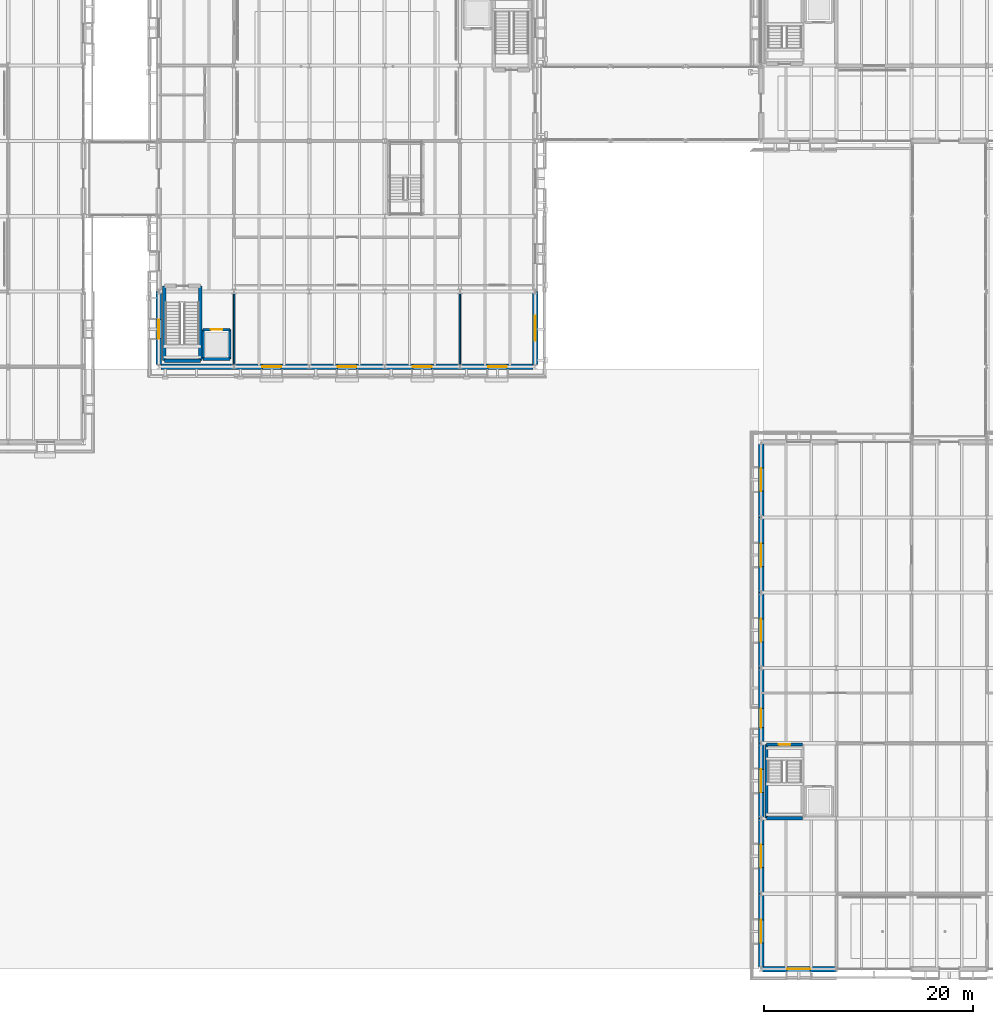
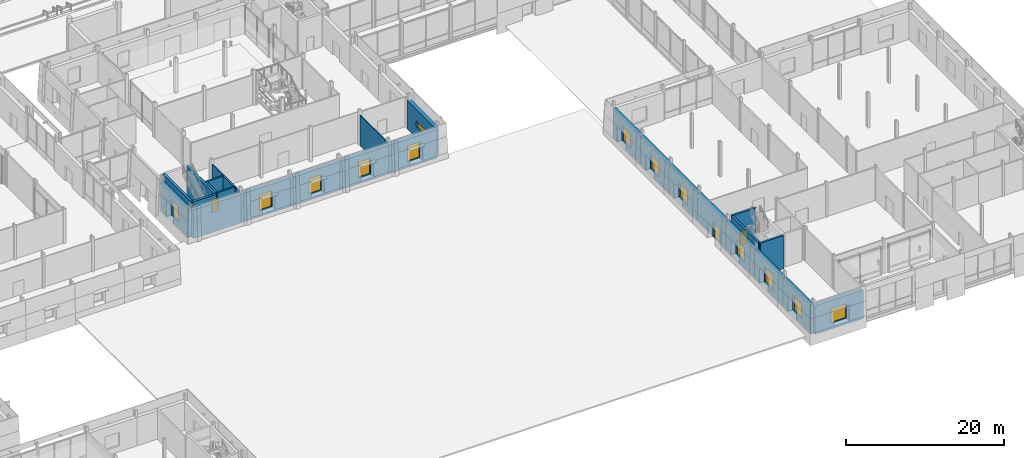
# One storey, part 71 of 120: 27 walls, 13 windows, 3 doors, 16 openings.
"""IFC4 building model written with IfcOpenShell, lengths in metres."""

from ifc_helpers import new_model, si_unit, direction, frame, frame_2d, origin, place, context, subcontext, project, spatial, rectangle, extrude, material, layer, layer_set, type_object, element, fill, save


model = new_model("IFC4")

# Units and contexts
model_context = context("Model", 3, precision=1e-05, world=origin(), true_north=direction((0.0, 1.0)))
body_context = subcontext(model_context, "Body", "Model", "MODEL_VIEW")
ifc_project = project(units=[si_unit("LENGTHUNIT", "METRE"), si_unit("AREAUNIT", "SQUARE_METRE"), si_unit("VOLUMEUNIT", "CUBIC_METRE"), si_unit("PLANEANGLEUNIT", "RADIAN"), si_unit("MASSUNIT", "GRAM", prefix="KILO")], contexts=[model_context])

# Site, building, storey
site_placement = place(None, origin())
site = spatial("IfcSite", under=ifc_project, at=site_placement, CompositionType="ELEMENT")
building_placement = place(site_placement, origin())
building = spatial("IfcBuilding", under=site, at=building_placement, Name="Narikvali Park Central Library", CompositionType="ELEMENT")
storey_placement = place(building_placement, origin())
storey = spatial("IfcBuildingStorey", under=building, at=storey_placement, Name="L00", CompositionType="ELEMENT", Elevation=0.0)

# Walls
ifc_material_1 = material(Name="Gypsum Board on Galvanised Steel Studs", Category="steel")
ifc_layer_1 = layer(ifc_material_1, 0.139892578125, Name="Gypsum Board on Galvanised Steel Studs")
ifc_layer_set_1 = layer_set([ifc_layer_1], Name="Gypsum Board on Galvanised Steel Studs")
wall_type_1 = type_object("IfcWallType", Name="Periodicals Partition Wall 140", PredefinedType="PARTITIONING", material=ifc_layer_set_1)
for number, where, z_axis, x_axis, name in (
    (1, (72.0, 57.803466796875, 0.0), (0.0, 0.0, 1.0), (0.0, 1.0, 0.0), "Periodicals Reading Room Partition W"),
    (2, (93.60009765625, 57.803466796875, 0.0), (0.0, 0.0, 1.0), (0.0, 1.0, 0.0), "Periodicals Reading Room Partition E"),
):
    element("IfcWall", number, at=place(storey_placement, frame(where, z_axis=z_axis, x_axis=x_axis)), inside=storey, type_object=wall_type_1, Name=name, PredefinedType="PARTITIONING", context=body_context, shape_type="SweptSolid", body=[
        extrude(rectangle(XDim=6.7890625, YDim=0.139892578125, at=frame_2d((3.39453125, 0.0))), origin(), (0.0, 0.0, 1.0), 4.6650390625),
    ])
ifc_material_2 = material(Name="Concrete C40/50", Category="concrete")
ifc_layer_2 = layer(ifc_material_2, 0.35009765625, Name="Concrete C40/50")
ifc_layer_set_2 = layer_set([ifc_layer_2], Name="Concrete C40/50")
wall_type_2 = type_object("IfcWallType", Name="Reinforced Concrete Core Shear Wall 350", PredefinedType="SHEAR", material=ifc_layer_set_2)
wall_1_placement = place(storey_placement, frame((65.330078125, 58.179931640625, 0.0), z_axis=(0.0, 0.0, 1.0), x_axis=(1.0, 0.0, 0.0)))
element("IfcWall", 3, at=wall_1_placement, inside=storey, type_object=wall_type_2, Name="C1A L00 Stair Core Shear Wall S", PredefinedType="SHEAR", context=body_context, shape_type="SweptSolid", body=[
    extrude(rectangle(XDim=3.43994140625, YDim=0.35009765625, at=frame_2d((1.719970703125, 0.0))), origin(), (0.0, 0.0, 1.0), 5.1201171875),
])
for number, where, z_axis, x_axis, name in (
    (4, (68.77001953125, 58.179931640625, 0.0), (0.0, 0.0, 1.0), (0.0, 1.0, 0.0), "C1A L00 Stair Core Shear Wall E"),
    (5, (65.330078125, 65.320068359375, 0.0), (0.0, 0.0, 1.0), (0.0, -1.0, 0.0), "C1A L00 Stair Core Shear Wall W"),
):
    element("IfcWall", number, at=place(storey_placement, frame(where, z_axis=z_axis, x_axis=x_axis)), inside=storey, type_object=wall_type_2, Name=name, PredefinedType="SHEAR", context=body_context, shape_type="SweptSolid", body=[
        extrude(rectangle(XDim=7.14013671875, YDim=0.35009765625, at=frame_2d((3.570068359375, 0.0))), origin(), (0.0, 0.0, 1.0), 5.1201171875),
    ])
ifc_layer_3 = layer(ifc_material_2, 0.25, Name="Concrete C40/50")
ifc_layer_set_3 = layer_set([ifc_layer_3], Name="Concrete C40/50")
wall_type_3 = type_object("IfcWallType", Name="Reinforced Concrete Lift Shaft Wall 250", PredefinedType="SHEAR", material=ifc_layer_set_3)
wall_2_placement = place(storey_placement, frame((69.050048828125, 58.35009765625, 0.0), z_axis=(0.0, 0.0, 1.0), x_axis=(1.0, 0.0, 0.0)))
element("IfcWall", 6, at=wall_2_placement, inside=storey, type_object=wall_type_3, Name="L-01 L00 Lift Shaft Wall S", PredefinedType="SHEAR", context=body_context, shape_type="SweptSolid", body=[
    extrude(rectangle(XDim=2.550048828125, YDim=0.25, at=frame_2d((1.27490234375, 0.0))), origin(), (0.0, 0.0, 1.0), 5.1201171875),
])
wall_3_placement = place(storey_placement, frame((71.60009765625, 58.35009765625, 0.0), z_axis=(0.0, 0.0, 1.0), x_axis=(0.0, 1.0, 0.0)))
element("IfcWall", 7, at=wall_3_placement, inside=storey, type_object=wall_type_3, Name="L-01 L00 Lift Shaft Wall E", PredefinedType="SHEAR", context=body_context, shape_type="SweptSolid", body=[
    extrude(rectangle(XDim=2.7998046875, YDim=0.25, at=frame_2d((1.39990234375, 0.0))), origin(), (0.0, 0.0, 1.0), 5.1201171875),
])

# Wall, opening, door
wall_4_placement = place(storey_placement, frame((71.60009765625, 61.14990234375, 0.0), z_axis=(0.0, 0.0, 1.0), x_axis=(-1.0, 0.0, 0.0)))
wall_4 = element("IfcWall", 8, at=wall_4_placement, inside=storey, type_object=wall_type_3, Name="L-01 L00 Lift Shaft Wall N", PredefinedType="SHEAR", context=body_context, shape_type="SweptSolid", body=[
    extrude(rectangle(XDim=2.550048828125, YDim=0.25, at=frame_2d((1.27490234375, 0.0))), origin(), (0.0, 0.0, 1.0), 5.1201171875),
])
opening_1_placement = place(wall_4_placement, frame((0.72509765625, 0.0, 0.0)))
opening_1 = element("IfcOpeningElement", 9, at=opening_1_placement, cuts=wall_4, Name="Opening LD-002", PredefinedType="OPENING", context=body_context, shape_type="SweptSolid", body=[
    extrude(rectangle(XDim=1.10009765625, YDim=2.10009765625, at=frame_2d((0.550048828125, 1.050048828125))), frame((0.0, 0.136962890625, 0.0), z_axis=(0.0, -1.0, 0.0), x_axis=(1.0, 0.0, 0.0)), (0.0, 0.0, 1.0), 0.27392578125),
])
ifc_material_3 = material(Name="Brushed Stainless Steel S355", Category="steel")
door_type_1 = type_object("IfcDoorType", Name="Passenger Lift Sliding Landing Door 1100x2100", OperationType="SLIDING_TO_LEFT", PredefinedType="DOOR", material=ifc_material_3)
door_1_placement = place(opening_1_placement, origin())
door_1 = element("IfcDoor", 10, at=door_1_placement, inside=storey, type_object=door_type_1, Name="L-01 L00 Lift Landing Sliding Door LD-002", OperationType="SLIDING_TO_LEFT", OverallHeight=2.10009765625, OverallWidth=1.10009765625, PredefinedType="DOOR", context=body_context, shape_type="SweptSolid", body=[
    extrude(rectangle(XDim=1.10009765625, YDim=2.10009765625, at=frame_2d((0.550048828125, 1.050048828125))), frame((0.0, 0.02490234375, 0.0), z_axis=(0.0, -1.0, 0.0), x_axis=(1.0, 0.0, 0.0)), (0.0, 0.0, 1.0), 0.050048828125),
])
fill(opening_1, door_1)

# Walls
wall_5_placement = place(storey_placement, frame((69.050048828125, 61.14990234375, 0.0), z_axis=(0.0, 0.0, 1.0), x_axis=(0.0, -1.0, 0.0)))
element("IfcWall", 11, at=wall_5_placement, inside=storey, type_object=wall_type_3, Name="L-01 L00 Lift Shaft Wall W", PredefinedType="SHEAR", context=body_context, shape_type="SweptSolid", body=[
    extrude(rectangle(XDim=2.7998046875, YDim=0.25, at=frame_2d((1.39990234375, 0.0))), origin(), (0.0, 0.0, 1.0), 5.1201171875),
])
ifc_layer_4 = layer(ifc_material_2, 0.300048828125, Name="Concrete C40/50")
ifc_layer_set_4 = layer_set([ifc_layer_4], Name="Concrete C40/50")
wall_type_4 = type_object("IfcWallType", Name="Reinforced Concrete Shear Wall 300", PredefinedType="SHEAR", material=ifc_layer_set_4)
wall_6_placement = place(storey_placement, frame((122.929931640625, 14.429931640625, 0.0), z_axis=(0.0, 0.0, 1.0), x_axis=(1.0, 0.0, 0.0)))
element("IfcWall", 12, at=wall_6_placement, inside=storey, type_object=wall_type_4, Name="C6A L00 Stair Core Shear Wall S", PredefinedType="SHEAR", context=body_context, shape_type="SweptSolid", body=[
    extrude(rectangle(XDim=3.440185546875, YDim=0.300048828125, at=frame_2d((1.72021484375, 0.0))), origin(), (0.0, 0.0, 1.0), 5.1201171875),
])

# Wall, opening, door
wall_7_placement = place(storey_placement, frame((126.3701171875, 21.469970703125, 0.0), z_axis=(0.0, 0.0, 1.0), x_axis=(-1.0, 0.0, 0.0)))
wall_7 = element("IfcWall", 13, at=wall_7_placement, inside=storey, type_object=wall_type_4, Name="C6A L00 Stair Core Shear Wall N", PredefinedType="SHEAR", context=body_context, shape_type="SweptSolid", body=[
    extrude(rectangle(XDim=3.440185546875, YDim=0.300048828125, at=frame_2d((1.72021484375, 0.0))), origin(), (0.0, 0.0, 1.0), 5.1201171875),
])
opening_2_placement = place(wall_7_placement, frame((1.169921875, 0.0, 0.0)))
opening_2 = element("IfcOpeningElement", 14, at=opening_2_placement, cuts=wall_7, Name="Opening SD-058", PredefinedType="OPENING", context=body_context, shape_type="SweptSolid", body=[
    extrude(rectangle(XDim=1.10009765625, YDim=2.14990234375, at=frame_2d((0.550048828125, 1.074951171875))), frame((0.0, 0.162109375, 0.0), z_axis=(0.0, -1.0, 0.0), x_axis=(1.0, 0.0, 0.0)), (0.0, 0.0, 1.0), 0.323974609375),
])
ifc_material_4 = material(Name="Powder-Coated Steel S275 Fire Leaf", Category="steel")
door_type_2 = type_object("IfcDoorType", Name="Stair Core Smoke-Control Fire Door 1100x2150", OperationType="SINGLE_SWING_LEFT", PredefinedType="DOOR", material=ifc_material_4)
door_2_placement = place(opening_2_placement, frame((1.10009765625, 0.0, 0.0), z_axis=(0.0, 0.0, 1.0), x_axis=(-1.0, 0.0, 0.0)))
door_2 = element("IfcDoor", 15, at=door_2_placement, inside=storey, type_object=door_type_2, Name="ST-11 L00 Stair Exit Door SD-058", OperationType="SINGLE_SWING_RIGHT", OverallHeight=2.14990234375, OverallWidth=1.10009765625, PredefinedType="DOOR", context=body_context, shape_type="SweptSolid", body=[
    extrude(rectangle(XDim=1.10009765625, YDim=2.14990234375, at=frame_2d((0.550048828125, 1.074951171875))), frame((0.0, 0.02490234375, 0.0), z_axis=(0.0, -1.0, 0.0), x_axis=(1.0, 0.0, 0.0)), (0.0, 0.0, 1.0), 0.050048828125),
])
fill(opening_2, door_2)

# Walls
wall_8_placement = place(storey_placement, frame((122.929931640625, 21.469970703125, 0.0), z_axis=(0.0, 0.0, 1.0), x_axis=(0.0, -1.0, 0.0)))
element("IfcWall", 16, at=wall_8_placement, inside=storey, type_object=wall_type_4, Name="C6A L00 Stair Core Shear Wall W", PredefinedType="SHEAR", context=body_context, shape_type="SweptSolid", body=[
    extrude(rectangle(XDim=7.0400390625, YDim=0.300048828125, at=frame_2d((3.52001953125, 0.0))), origin(), (0.0, 0.0, 1.0), 5.1201171875),
])
ifc_material_5 = material(Name="White Rusticated Limestone over Concrete C35/45", Category="masonry")
ifc_layer_5 = layer(ifc_material_5, 0.52001953125, Name="White Rusticated Limestone over Concrete C35/45")
ifc_layer_set_5 = layer_set([ifc_layer_5], Name="White Rusticated Limestone over Concrete C35/45")
wall_type_5 = type_object("IfcWallType", Name="White Limestone Ashlar Plinth Wall 520", PredefinedType="SOLIDWALL", material=ifc_layer_set_5)
wall_9_placement = place(storey_placement, frame((65.00439453125, 57.60009765625, 0.0), z_axis=(0.0, 0.0, 1.0), x_axis=(1.0, 0.0, 0.0)))
element("IfcWall", 17, at=wall_9_placement, inside=storey, type_object=wall_type_5, Name="V1 L00 S Exterior Limestone Wall B01", PredefinedType="SOLIDWALL", context=body_context, shape_type="SweptSolid", body=[
    extrude(rectangle(XDim=6.99560546875, YDim=0.52001953125, at=frame_2d((3.497802734375, 0.0))), origin(), (0.0, 0.0, 1.0), 4.39990234375),
])

# Wall, opening, window
wall_10_placement = place(storey_placement, frame((72.0, 57.60009765625, 0.0), z_axis=(0.0, 0.0, 1.0), x_axis=(1.0, 0.0, 0.0)))
wall_10 = element("IfcWall", 18, at=wall_10_placement, inside=storey, type_object=wall_type_5, Name="V1 L00 S Exterior Limestone Wall B02", PredefinedType="SOLIDWALL", context=body_context, shape_type="SweptSolid", body=[
    extrude(rectangle(XDim=7.199951171875, YDim=0.52001953125, at=frame_2d((3.60009765625, 0.0))), origin(), (0.0, 0.0, 1.0), 4.39990234375),
])
opening_3_placement = place(wall_10_placement, frame((2.699951171875, 0.0, 0.89990234375)))
opening_3 = element("IfcOpeningElement", 19, at=opening_3_placement, cuts=wall_10, Name="Opening WIN-0001", PredefinedType="OPENING", context=body_context, shape_type="SweptSolid", body=[
    extrude(rectangle(XDim=1.800048828125, YDim=2.449951171875, at=frame_2d((0.89990234375, 1.22509765625))), frame((0.0, 0.27197265625, 0.0), z_axis=(0.0, -1.0, 0.0), x_axis=(1.0, 0.0, 0.0)), (0.0, 0.0, 1.0), 0.5439453125),
])
ifc_material_6 = material(Name="Anodised Bronze Aluminium and Low-E Triple Glazing", Category="aluminium")
window_type_1 = type_object("IfcWindowType", Name="Rotunda Piano Nobile Tall Classical Window 1800x2450", PartitioningType="DOUBLE_PANEL_VERTICAL", PredefinedType="WINDOW", material=ifc_material_6)
window_1_placement = place(opening_3_placement, origin())
window_1 = element("IfcWindow", 20, at=window_1_placement, inside=storey, type_object=window_type_1, Name="V1 L00 S Deep-Reveal Window WIN-0001", OverallHeight=2.449951171875, OverallWidth=1.800048828125, PartitioningType="SINGLE_PANEL", PredefinedType="WINDOW", context=body_context, shape_type="SweptSolid", body=[
    extrude(rectangle(XDim=1.800048828125, YDim=2.449951171875, at=frame_2d((0.89990234375, 1.22509765625))), frame((0.0, 0.030029296875, 0.0), z_axis=(0.0, -1.0, 0.0), x_axis=(1.0, 0.0, 0.0)), (0.0, 0.0, 1.0), 0.06005859375),
])
fill(opening_3, window_1)

wall_11_placement = place(storey_placement, frame((79.199951171875, 57.60009765625, 0.0), z_axis=(0.0, 0.0, 1.0), x_axis=(1.0, 0.0, 0.0)))
wall_11 = element("IfcWall", 21, at=wall_11_placement, inside=storey, type_object=wall_type_5, Name="V1 L00 S Exterior Limestone Wall B03", PredefinedType="SOLIDWALL", context=body_context, shape_type="SweptSolid", body=[
    extrude(rectangle(XDim=7.199951171875, YDim=0.52001953125, at=frame_2d((3.60009765625, 0.0))), origin(), (0.0, 0.0, 1.0), 4.39990234375),
])
opening_4_placement = place(wall_11_placement, frame((2.699951171875, 0.0, 0.89990234375)))
opening_4 = element("IfcOpeningElement", 22, at=opening_4_placement, cuts=wall_11, Name="Opening WIN-0002", PredefinedType="OPENING", context=body_context, shape_type="SweptSolid", body=[
    extrude(rectangle(XDim=1.800048828125, YDim=2.449951171875, at=frame_2d((0.89990234375, 1.22509765625))), frame((0.0, 0.27197265625, 0.0), z_axis=(0.0, -1.0, 0.0), x_axis=(1.0, 0.0, 0.0)), (0.0, 0.0, 1.0), 0.5439453125),
])
window_2_placement = place(opening_4_placement, origin())
window_2 = element("IfcWindow", 23, at=window_2_placement, inside=storey, type_object=window_type_1, Name="V1 L00 S Deep-Reveal Window WIN-0002", OverallHeight=2.449951171875, OverallWidth=1.800048828125, PartitioningType="SINGLE_PANEL", PredefinedType="WINDOW", context=body_context, shape_type="SweptSolid", body=[
    extrude(rectangle(XDim=1.800048828125, YDim=2.449951171875, at=frame_2d((0.89990234375, 1.22509765625))), frame((0.0, 0.030029296875, 0.0), z_axis=(0.0, -1.0, 0.0), x_axis=(1.0, 0.0, 0.0)), (0.0, 0.0, 1.0), 0.06005859375),
])
fill(opening_4, window_2)

wall_12_placement = place(storey_placement, frame((86.39990234375, 57.60009765625, 0.0), z_axis=(0.0, 0.0, 1.0), x_axis=(1.0, 0.0, 0.0)))
wall_12 = element("IfcWall", 24, at=wall_12_placement, inside=storey, type_object=wall_type_5, Name="V1 L00 S Exterior Limestone Wall B04", PredefinedType="SOLIDWALL", context=body_context, shape_type="SweptSolid", body=[
    extrude(rectangle(XDim=7.2001953125, YDim=0.52001953125, at=frame_2d((3.60009765625, 0.0))), origin(), (0.0, 0.0, 1.0), 4.39990234375),
])
opening_5_placement = place(wall_12_placement, frame((2.699951171875, 0.0, 0.89990234375)))
opening_5 = element("IfcOpeningElement", 25, at=opening_5_placement, cuts=wall_12, Name="Opening WIN-0003", PredefinedType="OPENING", context=body_context, shape_type="SweptSolid", body=[
    extrude(rectangle(XDim=1.800048828125, YDim=2.449951171875, at=frame_2d((0.89990234375, 1.22509765625))), frame((0.0, 0.27197265625, 0.0), z_axis=(0.0, -1.0, 0.0), x_axis=(1.0, 0.0, 0.0)), (0.0, 0.0, 1.0), 0.5439453125),
])
window_3_placement = place(opening_5_placement, origin())
window_3 = element("IfcWindow", 26, at=window_3_placement, inside=storey, type_object=window_type_1, Name="V1 L00 S Deep-Reveal Window WIN-0003", OverallHeight=2.449951171875, OverallWidth=1.800048828125, PartitioningType="SINGLE_PANEL", PredefinedType="WINDOW", context=body_context, shape_type="SweptSolid", body=[
    extrude(rectangle(XDim=1.800048828125, YDim=2.449951171875, at=frame_2d((0.89990234375, 1.22509765625))), frame((0.0, 0.030029296875, 0.0), z_axis=(0.0, -1.0, 0.0), x_axis=(1.0, 0.0, 0.0)), (0.0, 0.0, 1.0), 0.06005859375),
])
fill(opening_5, window_3)

wall_13_placement = place(storey_placement, frame((93.60009765625, 57.60009765625, 0.0), z_axis=(0.0, 0.0, 1.0), x_axis=(1.0, 0.0, 0.0)))
wall_13 = element("IfcWall", 27, at=wall_13_placement, inside=storey, type_object=wall_type_5, Name="V1 L00 S Exterior Limestone Wall B05", PredefinedType="SOLIDWALL", context=body_context, shape_type="SweptSolid", body=[
    extrude(rectangle(XDim=6.995361328125, YDim=0.52001953125, at=frame_2d((3.49755859375, 0.0))), origin(), (0.0, 0.0, 1.0), 4.39990234375),
])
opening_6_placement = place(wall_13_placement, frame((2.699951171875, 0.0, 0.89990234375)))
opening_6 = element("IfcOpeningElement", 28, at=opening_6_placement, cuts=wall_13, Name="Opening WIN-0004", PredefinedType="OPENING", context=body_context, shape_type="SweptSolid", body=[
    extrude(rectangle(XDim=1.800048828125, YDim=2.449951171875, at=frame_2d((0.89990234375, 1.22509765625))), frame((0.0, 0.27197265625, 0.0), z_axis=(0.0, -1.0, 0.0), x_axis=(1.0, 0.0, 0.0)), (0.0, 0.0, 1.0), 0.5439453125),
])
window_4_placement = place(opening_6_placement, origin())
window_4 = element("IfcWindow", 29, at=window_4_placement, inside=storey, type_object=window_type_1, Name="V1 L00 S Deep-Reveal Window WIN-0004", OverallHeight=2.449951171875, OverallWidth=1.800048828125, PartitioningType="SINGLE_PANEL", PredefinedType="WINDOW", context=body_context, shape_type="SweptSolid", body=[
    extrude(rectangle(XDim=1.800048828125, YDim=2.449951171875, at=frame_2d((0.89990234375, 1.22509765625))), frame((0.0, 0.030029296875, 0.0), z_axis=(0.0, -1.0, 0.0), x_axis=(1.0, 0.0, 0.0)), (0.0, 0.0, 1.0), 0.06005859375),
])
fill(opening_6, window_4)

wall_14_placement = place(storey_placement, frame((100.800048828125, 57.803466796875, 0.0), z_axis=(0.0, 0.0, 1.0), x_axis=(0.0, 1.0, 0.0)))
wall_14 = element("IfcWall", 30, at=wall_14_placement, inside=storey, type_object=wall_type_5, Name="V1 L00 E Exterior Limestone Wall B01", PredefinedType="SOLIDWALL", context=body_context, shape_type="SweptSolid", body=[
    extrude(rectangle(XDim=6.99658203125, YDim=0.52001953125, at=frame_2d((3.498291015625, 0.0))), origin(), (0.0, 0.0, 1.0), 4.39990234375),
])
opening_7_placement = place(wall_14_placement, frame((2.298095703125, 0.0, 1.64990234375)))
opening_7 = element("IfcOpeningElement", 31, at=opening_7_placement, cuts=wall_14, Name="Opening SKY-01", PredefinedType="OPENING", context=body_context, shape_type="SweptSolid", body=[
    extrude(rectangle(XDim=2.39990234375, YDim=0.949951171875, at=frame_2d((1.199951171875, 0.47509765625))), frame((0.0, 0.27197265625, 0.0), z_axis=(0.0, -1.0, 0.0), x_axis=(1.0, 0.0, 0.0)), (0.0, 0.0, 1.0), 0.5439453125),
])
ifc_material_7 = material(Name="Laminated Solar-Control Skylight Glazing", Category="glass")
window_type_2 = type_object("IfcWindowType", Name="Atrium Roof Acoustic Skylight 2400x2400", PartitioningType="SINGLE_PANEL", PredefinedType="SKYLIGHT", material=ifc_material_7)
window_5_placement = place(opening_7_placement, origin())
window_5 = element("IfcWindow", 32, at=window_5_placement, inside=storey, type_object=window_type_2, Name="V1 Clerestory Lantern Skylight SKY-01", OverallHeight=0.949951171875, OverallWidth=2.39990234375, PartitioningType="SINGLE_PANEL", PredefinedType="SKYLIGHT", context=body_context, shape_type="SweptSolid", body=[
    extrude(rectangle(XDim=2.39990234375, YDim=0.949951171875, at=frame_2d((1.199951171875, 0.47509765625))), frame((0.0, 0.030029296875, 0.0), z_axis=(0.0, -1.0, 0.0), x_axis=(1.0, 0.0, 0.0)), (0.0, 0.0, 1.0), 0.06005859375),
])
fill(opening_7, window_5)

wall_15_placement = place(storey_placement, frame((64.800048828125, 64.800048828125, 0.0), z_axis=(0.0, 0.0, 1.0), x_axis=(0.0, -1.0, 0.0)))
wall_15 = element("IfcWall", 33, at=wall_15_placement, inside=storey, type_object=wall_type_5, Name="V1 L00 W Exterior Limestone Wall B05", PredefinedType="SOLIDWALL", context=body_context, shape_type="SweptSolid", body=[
    extrude(rectangle(XDim=6.99658203125, YDim=0.52001953125, at=frame_2d((3.498291015625, 0.0))), origin(), (0.0, 0.0, 1.0), 4.39990234375),
])
opening_8_placement = place(wall_15_placement, frame((2.699951171875, 0.0, 0.89990234375)))
opening_8 = element("IfcOpeningElement", 34, at=opening_8_placement, cuts=wall_15, Name="Opening WIN-0010", PredefinedType="OPENING", context=body_context, shape_type="SweptSolid", body=[
    extrude(rectangle(XDim=1.800048828125, YDim=2.449951171875, at=frame_2d((0.89990234375, 1.22509765625))), frame((0.0, 0.27197265625, 0.0), z_axis=(0.0, -1.0, 0.0), x_axis=(1.0, 0.0, 0.0)), (0.0, 0.0, 1.0), 0.5439453125),
])
window_6_placement = place(opening_8_placement, origin())
window_6 = element("IfcWindow", 35, at=window_6_placement, inside=storey, type_object=window_type_1, Name="V1 L00 W Deep-Reveal Window WIN-0010", OverallHeight=2.449951171875, OverallWidth=1.800048828125, PartitioningType="SINGLE_PANEL", PredefinedType="WINDOW", context=body_context, shape_type="SweptSolid", body=[
    extrude(rectangle(XDim=1.800048828125, YDim=2.449951171875, at=frame_2d((0.89990234375, 1.22509765625))), frame((0.0, 0.030029296875, 0.0), z_axis=(0.0, -1.0, 0.0), x_axis=(1.0, 0.0, 0.0)), (0.0, 0.0, 1.0), 0.06005859375),
])
fill(opening_8, window_6)

wall_16_placement = place(storey_placement, frame((122.553955078125, 0.0, 0.0), z_axis=(0.0, 0.0, 1.0), x_axis=(1.0, 0.0, 0.0)))
wall_16 = element("IfcWall", 36, at=wall_16_placement, inside=storey, type_object=wall_type_5, Name="V6 L00 S Exterior Limestone Wall B01", PredefinedType="SOLIDWALL", context=body_context, shape_type="SweptSolid", body=[
    extrude(rectangle(XDim=7.046142578125, YDim=0.52001953125, at=frame_2d((3.52294921875, 0.0))), origin(), (0.0, 0.0, 1.0), 4.39990234375),
])
opening_9_placement = place(wall_16_placement, frame((2.345947265625, 0.0, 0.89990234375)))
opening_9 = element("IfcOpeningElement", 37, at=opening_9_placement, cuts=wall_16, Name="Opening WIN-0347", PredefinedType="OPENING", context=body_context, shape_type="SweptSolid", body=[
    extrude(rectangle(XDim=2.199951171875, YDim=2.25, at=frame_2d((1.10009765625, 1.125))), frame((0.0, 0.27197265625, 0.0), z_axis=(0.0, -1.0, 0.0), x_axis=(1.0, 0.0, 0.0)), (0.0, 0.0, 1.0), 0.5439453125),
])
window_type_3 = type_object("IfcWindowType", Name="Community & Fine Arts Studio Window 2200x2250", PartitioningType="TRIPLE_PANEL_VERTICAL", PredefinedType="WINDOW", material=ifc_material_6)
window_7_placement = place(opening_9_placement, origin())
window_7 = element("IfcWindow", 38, at=window_7_placement, inside=storey, type_object=window_type_3, Name="V6 L00 S Deep-Reveal Window WIN-0347", OverallHeight=2.25, OverallWidth=2.199951171875, PartitioningType="SINGLE_PANEL", PredefinedType="WINDOW", context=body_context, shape_type="SweptSolid", body=[
    extrude(rectangle(XDim=2.199951171875, YDim=2.25, at=frame_2d((1.10009765625, 1.125))), frame((0.0, 0.030029296875, 0.0), z_axis=(0.0, -1.0, 0.0), x_axis=(1.0, 0.0, 0.0)), (0.0, 0.0, 1.0), 0.06005859375),
])
fill(opening_9, window_7)

wall_17_placement = place(storey_placement, frame((122.39990234375, 50.196044921875, 0.0), z_axis=(0.0, 0.0, 1.0), x_axis=(0.0, -1.0, 0.0)))
wall_17 = element("IfcWall", 39, at=wall_17_placement, inside=storey, type_object=wall_type_5, Name="V6 L00 W Exterior Limestone Wall B01", PredefinedType="SOLIDWALL", context=body_context, shape_type="SweptSolid", body=[
    extrude(rectangle(XDim=6.99609375, YDim=0.52001953125, at=frame_2d((3.498046875, 0.0))), origin(), (0.0, 0.0, 1.0), 4.39990234375),
])
opening_10_placement = place(wall_17_placement, frame((2.2958984375, 0.0, 0.89990234375)))
opening_10 = element("IfcOpeningElement", 40, at=opening_10_placement, cuts=wall_17, Name="Opening WIN-0356", PredefinedType="OPENING", context=body_context, shape_type="SweptSolid", body=[
    extrude(rectangle(XDim=2.199951171875, YDim=2.25, at=frame_2d((1.10009765625, 1.125))), frame((0.0, 0.27197265625, 0.0), z_axis=(0.0, -1.0, 0.0), x_axis=(1.0, 0.0, 0.0)), (0.0, 0.0, 1.0), 0.5439453125),
])
window_8_placement = place(opening_10_placement, origin())
window_8 = element("IfcWindow", 41, at=window_8_placement, inside=storey, type_object=window_type_3, Name="V6 L00 W Deep-Reveal Window WIN-0356", OverallHeight=2.25, OverallWidth=2.199951171875, PartitioningType="SINGLE_PANEL", PredefinedType="WINDOW", context=body_context, shape_type="SweptSolid", body=[
    extrude(rectangle(XDim=2.199951171875, YDim=2.25, at=frame_2d((1.10009765625, 1.125))), frame((0.0, 0.030029296875, 0.0), z_axis=(0.0, -1.0, 0.0), x_axis=(1.0, 0.0, 0.0)), (0.0, 0.0, 1.0), 0.06005859375),
])
fill(opening_10, window_8)

wall_18_placement = place(storey_placement, frame((122.39990234375, 43.199951171875, 0.0), z_axis=(0.0, 0.0, 1.0), x_axis=(0.0, -1.0, 0.0)))
wall_18 = element("IfcWall", 42, at=wall_18_placement, inside=storey, type_object=wall_type_5, Name="V6 L00 W Exterior Limestone Wall B02", PredefinedType="SOLIDWALL", context=body_context, shape_type="SweptSolid", body=[
    extrude(rectangle(XDim=7.199951171875, YDim=0.52001953125, at=frame_2d((3.60009765625, 0.0))), origin(), (0.0, 0.0, 1.0), 4.39990234375),
])
opening_11_placement = place(wall_18_placement, frame((2.5, 0.0, 0.89990234375)))
opening_11 = element("IfcOpeningElement", 43, at=opening_11_placement, cuts=wall_18, Name="Opening WIN-0357", PredefinedType="OPENING", context=body_context, shape_type="SweptSolid", body=[
    extrude(rectangle(XDim=2.199951171875, YDim=2.25, at=frame_2d((1.10009765625, 1.125))), frame((0.0, 0.27197265625, 0.0), z_axis=(0.0, -1.0, 0.0), x_axis=(1.0, 0.0, 0.0)), (0.0, 0.0, 1.0), 0.5439453125),
])
window_9_placement = place(opening_11_placement, origin())
window_9 = element("IfcWindow", 44, at=window_9_placement, inside=storey, type_object=window_type_3, Name="V6 L00 W Deep-Reveal Window WIN-0357", OverallHeight=2.25, OverallWidth=2.199951171875, PartitioningType="SINGLE_PANEL", PredefinedType="WINDOW", context=body_context, shape_type="SweptSolid", body=[
    extrude(rectangle(XDim=2.199951171875, YDim=2.25, at=frame_2d((1.10009765625, 1.125))), frame((0.0, 0.030029296875, 0.0), z_axis=(0.0, -1.0, 0.0), x_axis=(1.0, 0.0, 0.0)), (0.0, 0.0, 1.0), 0.06005859375),
])
fill(opening_11, window_9)

wall_19_placement = place(storey_placement, frame((122.39990234375, 36.0, 0.0), z_axis=(0.0, 0.0, 1.0), x_axis=(0.0, -1.0, 0.0)))
wall_19 = element("IfcWall", 45, at=wall_19_placement, inside=storey, type_object=wall_type_5, Name="V6 L00 W Exterior Limestone Wall B03", PredefinedType="SOLIDWALL", context=body_context, shape_type="SweptSolid", body=[
    extrude(rectangle(XDim=7.199951171875, YDim=0.52001953125, at=frame_2d((3.60009765625, 0.0))), origin(), (0.0, 0.0, 1.0), 4.39990234375),
])
opening_12_placement = place(wall_19_placement, frame((2.5, 0.0, 0.89990234375)))
opening_12 = element("IfcOpeningElement", 46, at=opening_12_placement, cuts=wall_19, Name="Opening WIN-0358", PredefinedType="OPENING", context=body_context, shape_type="SweptSolid", body=[
    extrude(rectangle(XDim=2.199951171875, YDim=2.25, at=frame_2d((1.10009765625, 1.125))), frame((0.0, 0.27197265625, 0.0), z_axis=(0.0, -1.0, 0.0), x_axis=(1.0, 0.0, 0.0)), (0.0, 0.0, 1.0), 0.5439453125),
])
window_10_placement = place(opening_12_placement, origin())
window_10 = element("IfcWindow", 47, at=window_10_placement, inside=storey, type_object=window_type_3, Name="V6 L00 W Deep-Reveal Window WIN-0358", OverallHeight=2.25, OverallWidth=2.199951171875, PartitioningType="SINGLE_PANEL", PredefinedType="WINDOW", context=body_context, shape_type="SweptSolid", body=[
    extrude(rectangle(XDim=2.199951171875, YDim=2.25, at=frame_2d((1.10009765625, 1.125))), frame((0.0, 0.030029296875, 0.0), z_axis=(0.0, -1.0, 0.0), x_axis=(1.0, 0.0, 0.0)), (0.0, 0.0, 1.0), 0.06005859375),
])
fill(opening_12, window_10)

# Wall, opening, door
wall_20_placement = place(storey_placement, frame((122.39990234375, 28.800048828125, 0.0), z_axis=(0.0, 0.0, 1.0), x_axis=(0.0, -1.0, 0.0)))
wall_20 = element("IfcWall", 48, at=wall_20_placement, inside=storey, type_object=wall_type_5, Name="V6 L00 W Exterior Limestone Wall B04", PredefinedType="SOLIDWALL", context=body_context, shape_type="SweptSolid", body=[
    extrude(rectangle(XDim=7.199951171875, YDim=0.52001953125, at=frame_2d((3.60009765625, 0.0))), origin(), (0.0, 0.0, 1.0), 4.39990234375),
])
opening_13_placement = place(wall_20_placement, frame((3.89990234375, 0.0, 0.0)))
opening_13 = element("IfcOpeningElement", 49, at=opening_13_placement, cuts=wall_20, Name="Opening ED-051", PredefinedType="OPENING", context=body_context, shape_type="SweptSolid", body=[
    extrude(rectangle(XDim=1.800048828125, YDim=2.199951171875, at=frame_2d((0.89990234375, 1.10009765625))), frame((0.0, 0.27197265625, 0.0), z_axis=(0.0, -1.0, 0.0), x_axis=(1.0, 0.0, 0.0)), (0.0, 0.0, 1.0), 0.5439453125),
])
ifc_material_8 = material(Name="Powder-Coated Galvanised Steel S275", Category="steel")
door_type_3 = type_object("IfcDoorType", Name="Exterior Final Exit Double Fire Door 1800x2200", OperationType="DOUBLE_DOOR_SINGLE_SWING", PredefinedType="DOOR", material=ifc_material_8)
door_3_placement = place(opening_13_placement, frame((1.800048828125, 0.0, 0.0), z_axis=(0.0, 0.0, 1.0), x_axis=(-1.0, 0.0, 0.0)))
door_3 = element("IfcDoor", 50, at=door_3_placement, inside=storey, type_object=door_type_3, Name="V6 Ground Final Exit Discharge Door ED-051", OperationType="DOUBLE_DOOR_SINGLE_SWING", OverallHeight=2.199951171875, OverallWidth=1.800048828125, PredefinedType="DOOR", context=body_context, shape_type="SweptSolid", body=[
    extrude(rectangle(XDim=1.800048828125, YDim=2.199951171875, at=frame_2d((0.89990234375, 1.10009765625))), frame((0.0, 0.02490234375, 0.0), z_axis=(0.0, -1.0, 0.0), x_axis=(1.0, 0.0, 0.0)), (0.0, 0.0, 1.0), 0.050048828125),
])
fill(opening_13, door_3)

# Wall, opening, window
wall_21_placement = place(storey_placement, frame((122.39990234375, 21.60009765625, 0.0), z_axis=(0.0, 0.0, 1.0), x_axis=(0.0, -1.0, 0.0)))
wall_21 = element("IfcWall", 51, at=wall_21_placement, inside=storey, type_object=wall_type_5, Name="V6 L00 W Exterior Limestone Wall B05", PredefinedType="SOLIDWALL", context=body_context, shape_type="SweptSolid", body=[
    extrude(rectangle(XDim=7.2001953125, YDim=0.52001953125, at=frame_2d((3.60009765625, 0.0))), origin(), (0.0, 0.0, 1.0), 4.39990234375),
])
opening_14_placement = place(wall_21_placement, frame((2.5, 0.0, 0.89990234375)))
opening_14 = element("IfcOpeningElement", 52, at=opening_14_placement, cuts=wall_21, Name="Opening WIN-0359", PredefinedType="OPENING", context=body_context, shape_type="SweptSolid", body=[
    extrude(rectangle(XDim=2.199951171875, YDim=2.25, at=frame_2d((1.10009765625, 1.125))), frame((0.0, 0.27197265625, 0.0), z_axis=(0.0, -1.0, 0.0), x_axis=(1.0, 0.0, 0.0)), (0.0, 0.0, 1.0), 0.5439453125),
])
window_11_placement = place(opening_14_placement, origin())
window_11 = element("IfcWindow", 53, at=window_11_placement, inside=storey, type_object=window_type_3, Name="V6 L00 W Deep-Reveal Window WIN-0359", OverallHeight=2.25, OverallWidth=2.199951171875, PartitioningType="SINGLE_PANEL", PredefinedType="WINDOW", context=body_context, shape_type="SweptSolid", body=[
    extrude(rectangle(XDim=2.199951171875, YDim=2.25, at=frame_2d((1.10009765625, 1.125))), frame((0.0, 0.030029296875, 0.0), z_axis=(0.0, -1.0, 0.0), x_axis=(1.0, 0.0, 0.0)), (0.0, 0.0, 1.0), 0.06005859375),
])
fill(opening_14, window_11)

wall_22_placement = place(storey_placement, frame((122.39990234375, 14.39990234375, 0.0), z_axis=(0.0, 0.0, 1.0), x_axis=(0.0, -1.0, 0.0)))
wall_22 = element("IfcWall", 54, at=wall_22_placement, inside=storey, type_object=wall_type_5, Name="V6 L00 W Exterior Limestone Wall B06", PredefinedType="SOLIDWALL", context=body_context, shape_type="SweptSolid", body=[
    extrude(rectangle(XDim=7.199951171875, YDim=0.52001953125, at=frame_2d((3.60009765625, 0.0))), origin(), (0.0, 0.0, 1.0), 4.39990234375),
])
opening_15_placement = place(wall_22_placement, frame((2.5, 0.0, 0.89990234375)))
opening_15 = element("IfcOpeningElement", 55, at=opening_15_placement, cuts=wall_22, Name="Opening WIN-0360", PredefinedType="OPENING", context=body_context, shape_type="SweptSolid", body=[
    extrude(rectangle(XDim=2.199951171875, YDim=2.25, at=frame_2d((1.10009765625, 1.125))), frame((0.0, 0.27197265625, 0.0), z_axis=(0.0, -1.0, 0.0), x_axis=(1.0, 0.0, 0.0)), (0.0, 0.0, 1.0), 0.5439453125),
])
window_12_placement = place(opening_15_placement, origin())
window_12 = element("IfcWindow", 56, at=window_12_placement, inside=storey, type_object=window_type_3, Name="V6 L00 W Deep-Reveal Window WIN-0360", OverallHeight=2.25, OverallWidth=2.199951171875, PartitioningType="SINGLE_PANEL", PredefinedType="WINDOW", context=body_context, shape_type="SweptSolid", body=[
    extrude(rectangle(XDim=2.199951171875, YDim=2.25, at=frame_2d((1.10009765625, 1.125))), frame((0.0, 0.030029296875, 0.0), z_axis=(0.0, -1.0, 0.0), x_axis=(1.0, 0.0, 0.0)), (0.0, 0.0, 1.0), 0.06005859375),
])
fill(opening_15, window_12)

wall_23_placement = place(storey_placement, frame((122.39990234375, 7.199951171875, 0.0), z_axis=(0.0, 0.0, 1.0), x_axis=(0.0, -1.0, 0.0)))
wall_23 = element("IfcWall", 57, at=wall_23_placement, inside=storey, type_object=wall_type_5, Name="V6 L00 W Exterior Limestone Wall B07", PredefinedType="SOLIDWALL", context=body_context, shape_type="SweptSolid", body=[
    extrude(rectangle(XDim=6.995849609375, YDim=0.52001953125, at=frame_2d((3.498046875, 0.0))), origin(), (0.0, 0.0, 1.0), 4.39990234375),
])
opening_16_placement = place(wall_23_placement, frame((2.5, 0.0, 0.89990234375)))
opening_16 = element("IfcOpeningElement", 58, at=opening_16_placement, cuts=wall_23, Name="Opening WIN-0361", PredefinedType="OPENING", context=body_context, shape_type="SweptSolid", body=[
    extrude(rectangle(XDim=2.199951171875, YDim=2.25, at=frame_2d((1.10009765625, 1.125))), frame((0.0, 0.27197265625, 0.0), z_axis=(0.0, -1.0, 0.0), x_axis=(1.0, 0.0, 0.0)), (0.0, 0.0, 1.0), 0.5439453125),
])
window_13_placement = place(opening_16_placement, origin())
window_13 = element("IfcWindow", 59, at=window_13_placement, inside=storey, type_object=window_type_3, Name="V6 L00 W Deep-Reveal Window WIN-0361", OverallHeight=2.25, OverallWidth=2.199951171875, PartitioningType="SINGLE_PANEL", PredefinedType="WINDOW", context=body_context, shape_type="SweptSolid", body=[
    extrude(rectangle(XDim=2.199951171875, YDim=2.25, at=frame_2d((1.10009765625, 1.125))), frame((0.0, 0.030029296875, 0.0), z_axis=(0.0, -1.0, 0.0), x_axis=(1.0, 0.0, 0.0)), (0.0, 0.0, 1.0), 0.06005859375),
])
fill(opening_16, window_13)

save(model, "model.ifc")
